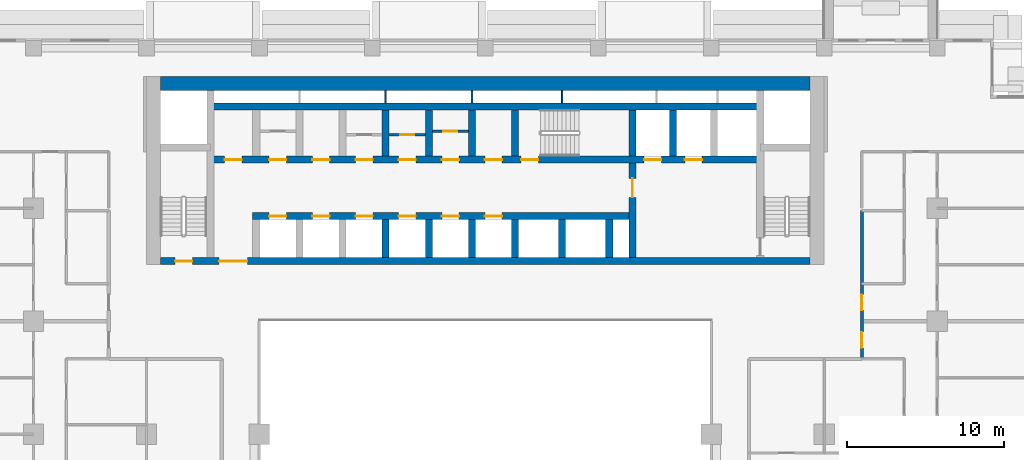
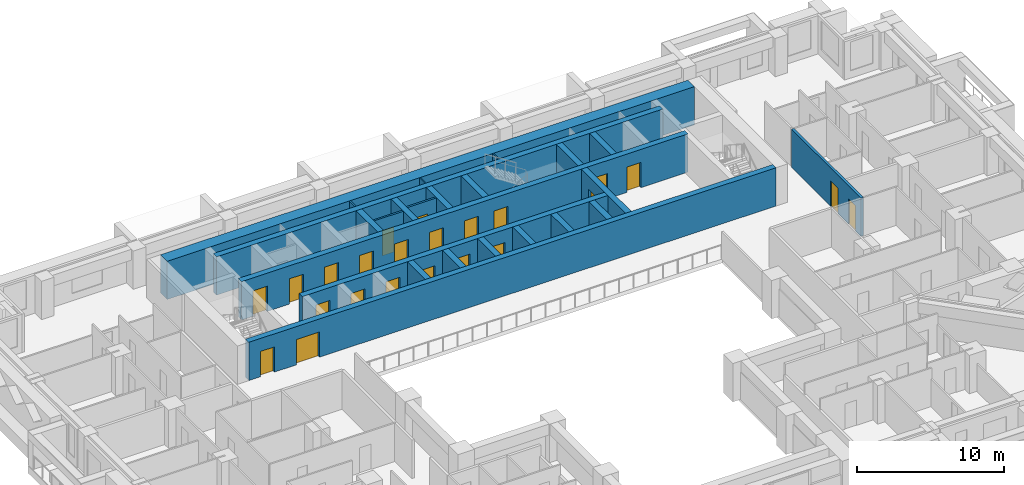
# One storey, part 10 of 17: 24 walls, 23 doors, 23 openings.
"""IFC4 building model written with IfcOpenShell, lengths in metres."""

import ifcopenshell
import ifcopenshell.guid

model = None  # the IFC model being written
_history = None  # IfcOwnerHistory: only IFC2X3 demands one
_inside = {}  # id of a spatial element -> (the spatial element, [elements in it])
_under = {}  # id of a project, library or spatial element -> (it, [spatial elements below it])
_declared = {}  # id of a project -> (the project, [libraries it declares])
_typed = {}  # id of a type object -> (the type object, [elements of that type])
_made_of = {}  # id of a material, layer set ... -> (it, [elements and type objects made of it])


def new_model(schema):
    """Start an empty IFC model of exactly this schema.

    Asked for "IFC4X3", IfcOpenShell would pick the latest addendum, in which some entities
    have other attributes; the version numbers below select the first issue.
    IFC2X3 requires an IfcOwnerHistory on every rooted entity: one is made here for all.
    """
    global model, _history
    if schema == "IFC4X3":
        model = ifcopenshell.file(schema_version=(4, 3, 0, 0))
    else:
        model = ifcopenshell.file(schema=schema)
    _inside.clear()
    _under.clear()
    _declared.clear()
    _typed.clear()
    _made_of.clear()
    _history = None
    if model.schema == "IFC2X3":
        org = make("IfcOrganization", Name="unknown")
        user = make(
            "IfcPersonAndOrganization",
            ThePerson=make("IfcPerson", FamilyName="unknown"),
            TheOrganization=org,
        )
        app = make(
            "IfcApplication",
            ApplicationDeveloper=org,
            Version="unknown",
            ApplicationFullName="unknown",
            ApplicationIdentifier="unknown",
        )
        _history = make(
            "IfcOwnerHistory",
            OwningUser=user,
            OwningApplication=app,
            ChangeAction="ADDED",
            CreationDate=0,
        )
    return model


def make(cls, **values):
    """One entity of the class cls with the attributes given. An attribute that is None is left unset."""
    return model.create_entity(
        cls, **{name: value for name, value in values.items() if value is not None}
    )


def rooted(cls, **values):
    """An entity with a GlobalId (a new one), such as an element, a storey or a relation."""
    return make(cls, GlobalId=ifcopenshell.guid.new(), OwnerHistory=_history, **values)


def si_unit(unit_type, name, prefix=None):
    """IfcSIUnit, for example si_unit("LENGTHUNIT", "METRE", prefix="MILLI")."""
    return make("IfcSIUnit", UnitType=unit_type, Prefix=prefix, Name=name)


def assignment(units):
    """IfcUnitAssignment: the units of a project."""
    return None if units is None else make("IfcUnitAssignment", Units=units)


def point(xyz):
    """IfcCartesianPoint."""
    return None if xyz is None else make("IfcCartesianPoint", Coordinates=xyz)


def direction(xyz):
    """IfcDirection."""
    return None if xyz is None else make("IfcDirection", DirectionRatios=xyz)


def frame(location, z_axis=None, x_axis=None):
    """IfcAxis2Placement3D, a coordinate frame: its origin and axes. An axis left out is left unset."""
    return make(
        "IfcAxis2Placement3D",
        Location=point(location),
        Axis=direction(z_axis),
        RefDirection=direction(x_axis),
    )


def frame_2d(location, x_axis=None):
    """IfcAxis2Placement2D, a coordinate frame in the plane: its origin and x axis."""
    return make(
        "IfcAxis2Placement2D", Location=point(location), RefDirection=direction(x_axis)
    )


def origin():
    """The frame at (0, 0, 0) with its axes left unset."""
    return frame((0.0, 0.0, 0.0))


def place(relative_to, where):
    """IfcLocalPlacement: puts the frame where relative to a parent placement (None: the world)."""
    return make(
        "IfcLocalPlacement", PlacementRelTo=relative_to, RelativePlacement=where
    )


def context(
    kind, dimensions, precision=None, world=None, true_north=None, identifier=None
):
    """IfcGeometricRepresentationContext, for example the 3D "Model" context."""
    return make(
        "IfcGeometricRepresentationContext",
        ContextIdentifier=identifier,
        ContextType=kind,
        CoordinateSpaceDimension=dimensions,
        Precision=precision,
        WorldCoordinateSystem=world,
        TrueNorth=true_north,
    )


def subcontext(parent, identifier, kind, view, scale=None):
    """IfcGeometricRepresentationSubContext, for example "Body" below "Model"."""
    return make(
        "IfcGeometricRepresentationSubContext",
        ContextIdentifier=identifier,
        ContextType=kind,
        ParentContext=parent,
        TargetScale=scale,
        TargetView=view,
    )


def project(units=None, contexts=None):
    """IfcProject with its units and contexts."""
    return rooted(
        "IfcProject",
        Name="project",
        RepresentationContexts=contexts,
        UnitsInContext=assignment(units),
    )


def spatial(cls, under=None, at=None, **own):
    """A site, building, storey or space (cls), placed at a placement, below another one or the project."""
    s = rooted(cls, ObjectPlacement=at, **own)
    if under is not None:
        _under.setdefault(under.id(), (under, []))[1].append(s)
    return s


def profile(cls, at=None, kind="AREA", **sizes):
    """A parametric profile (cls). Its sizes go by their IFC names, for example OverallWidth=200.0."""
    return make(cls, ProfileType=kind, Position=at, **sizes)


def rectangle(**sizes):
    """IfcRectangleProfileDef."""
    return profile("IfcRectangleProfileDef", **sizes)


def extrude(swept, where, along, depth):
    """IfcExtrudedAreaSolid: the profile swept, set in the frame where, extruded along a direction by depth."""
    return make(
        "IfcExtrudedAreaSolid",
        SweptArea=swept,
        Position=where,
        ExtrudedDirection=direction(along),
        Depth=depth,
    )


def shape(context_of_items, identifier, shape_type, items):
    """IfcShapeRepresentation: the items that make up one representation, for example the "Body"."""
    return make(
        "IfcShapeRepresentation",
        ContextOfItems=context_of_items,
        RepresentationIdentifier=identifier,
        RepresentationType=shape_type,
        Items=items,
    )


def material(Name=None, Category=None):
    """IfcMaterial."""
    return make("IfcMaterial", Name=Name, Category=Category)


def layer(
    of_material, thickness, ventilated=None, Name=None, Category=None, Priority=None
):
    """IfcMaterialLayer: one layer of a wall or slab, of a material (None: an air gap)."""
    return make(
        "IfcMaterialLayer",
        Material=of_material,
        LayerThickness=thickness,
        IsVentilated=ventilated,
        Name=Name,
        Category=Category,
        Priority=Priority,
    )


def layer_set(layers, Name=None):
    """IfcMaterialLayerSet."""
    return make("IfcMaterialLayerSet", MaterialLayers=layers, LayerSetName=Name)


def made_of(thing, what):
    """Note that an element or type object is made of a material, layer set ...; save() writes the relation."""
    if what is not None:
        _made_of.setdefault(what.id(), (what, []))[1].append(thing)
    return thing


def type_object(cls, material=None, **own):
    """A type object (cls), such as IfcWallType, which elements share."""
    return made_of(rooted(cls, **own), material)


def element(
    cls,
    number,
    at=None,
    inside=None,
    cuts=None,
    type_object=None,
    material=None,
    context=None,
    identifier="Body",
    shape_type=None,
    held_by="IfcProductDefinitionShape",
    body=None,
    shapes=None,
    **own,
):
    """One element of the class cls, such as IfcWall. Its Tag is "e" and its number.

    at: its placement. inside: the storey or other place that contains it. cuts: it is an
    opening in that element (IfcRelVoidsElement). A single representation is given by context,
    identifier, shape_type and body (its items); several are given by shapes. held_by: the class
    of the entity that holds the representations. save() writes the other relations.
    """
    e = rooted(cls, Tag="e%d" % number, ObjectPlacement=at, **own)
    if body is not None:
        shapes = [shape(context, identifier, shape_type, body)]
    if shapes is not None:
        e.Representation = make(held_by, Representations=shapes)
    if inside is not None:
        _inside.setdefault(inside.id(), (inside, []))[1].append(e)
    if cuts is not None:
        rooted(
            "IfcRelVoidsElement", RelatingBuildingElement=cuts, RelatedOpeningElement=e
        )
    if type_object is not None:
        _typed.setdefault(type_object.id(), (type_object, []))[1].append(e)
    return made_of(e, material)


def fill(opening, filler):
    """IfcRelFillsElement: the door or window that sits in an opening."""
    return rooted(
        "IfcRelFillsElement",
        RelatingOpeningElement=opening,
        RelatedBuildingElement=filler,
    )


def aggregate(whole, parts):
    """IfcRelAggregates: a whole, such as a stair, and the parts it consists of."""
    return rooted("IfcRelAggregates", RelatingObject=whole, RelatedObjects=parts)


def save(model, path):
    """Write the relations noted so far, then the file.

    IfcRelAggregates (storeys below a building ...), IfcRelContainedInSpatialStructure (elements
    in a storey), IfcRelDefinesByType, IfcRelAssociatesMaterial and IfcRelDeclares: one each for
    every whole, place, type object, material and project.
    """
    for whole, parts in _under.values():
        aggregate(whole, parts)
    for where, things in _inside.values():
        rooted(
            "IfcRelContainedInSpatialStructure",
            RelatedElements=things,
            RelatingStructure=where,
        )
    for kind, things in _typed.values():
        rooted("IfcRelDefinesByType", RelatedObjects=things, RelatingType=kind)
    for what, things in _made_of.values():
        rooted("IfcRelAssociatesMaterial", RelatedObjects=things, RelatingMaterial=what)
    for by, libraries in _declared.values():
        rooted("IfcRelDeclares", RelatingContext=by, RelatedDefinitions=libraries)
    model.write(path)


model = new_model("IFC4")

# Units and contexts
model_context = context("Model", 3, precision=1e-05, world=origin(), true_north=direction((0.0, 1.0)))
body_context = subcontext(model_context, "Body", "Model", "MODEL_VIEW")
ifc_project = project(units=[si_unit("LENGTHUNIT", "METRE"), si_unit("AREAUNIT", "SQUARE_METRE"), si_unit("VOLUMEUNIT", "CUBIC_METRE"), si_unit("PLANEANGLEUNIT", "RADIAN"), si_unit("MASSUNIT", "GRAM", prefix="KILO")], contexts=[model_context])

# Site, building, storey
site_placement = place(None, origin())
site = spatial("IfcSite", under=ifc_project, at=site_placement, CompositionType="ELEMENT")
building_placement = place(site_placement, origin())
building = spatial("IfcBuilding", under=site, at=building_placement, Name="Saffron Iwan Residences", CompositionType="ELEMENT")
storey_placement = place(building_placement, frame((0.0, 0.0, 72.5)))
storey = spatial("IfcBuildingStorey", under=building, at=storey_placement, Name="L18", CompositionType="ELEMENT", Elevation=72.5)

# Wall, opening, door
ifc_material_1 = material(Name="Fire-rated plasterboard partition")
ifc_layer_1 = layer(ifc_material_1, 0.14990234375)
ifc_layer_set_1 = layer_set([ifc_layer_1], Name="Fire-rated plasterboard partition")
wall_type_1 = type_object("IfcWallType", Name="Core partition 150", PredefinedType="PARTITIONING", material=ifc_layer_set_1)
wall_1_placement = place(storey_placement, frame((44.27490234375, 74.281982421875, 0.0), z_axis=(0.0, 0.0, 1.0), x_axis=(1.0, 0.0, 0.0)))
wall_1 = element("IfcWall", 1, at=wall_1_placement, inside=storey, type_object=wall_type_1, Name="Core partition P03", PredefinedType="PARTITIONING", context=body_context, shape_type="SweptSolid", body=[
    extrude(rectangle(XDim=2.300048828125, YDim=0.14990234375, at=frame_2d((1.14990234375, 0.0))), origin(), (0.0, 0.0, 1.0), 3.179931640625),
])
opening_1_placement = place(wall_1_placement, frame((0.699951171875, 0.0, 0.0)))
opening_1 = element("IfcOpeningElement", 2, at=opening_1_placement, cuts=wall_1, Name="Opening SB", PredefinedType="OPENING", context=body_context, shape_type="SweptSolid", body=[
    extrude(rectangle(XDim=0.89990234375, YDim=2.10009765625, at=frame_2d((0.449951171875, 1.050048828125))), frame((0.0, 0.0849609375, 0.0), z_axis=(0.0, -1.0, 0.0), x_axis=(1.0, 0.0, 0.0)), (0.0, 0.0, 1.0), 0.169921875),
])
ifc_material_2 = material(Name="Steel fire door", Category="steel")
door_type_1 = type_object("IfcDoorType", Name="Store door 900", OperationType="NOTDEFINED", PredefinedType="DOOR", material=ifc_material_2)
door_1_placement = place(opening_1_placement, origin())
door_1 = element("IfcDoor", 3, at=door_1_placement, inside=storey, type_object=door_type_1, Name="Door Battery room", OperationType="SINGLE_SWING_RIGHT", OverallHeight=2.10009765625, OverallWidth=0.89990234375, PredefinedType="DOOR", context=body_context, shape_type="SweptSolid", body=[
    extrude(rectangle(XDim=0.89990234375, YDim=2.10009765625, at=frame_2d((0.449951171875, 1.050048828125))), frame((0.0, 0.02490234375, 0.0), z_axis=(0.0, -1.0, 0.0), x_axis=(1.0, 0.0, 0.0)), (0.0, 0.0, 1.0), 0.050048828125),
])
fill(opening_1, door_1)

wall_2_placement = place(storey_placement, frame((47.02490234375, 74.51806640625, 0.0), z_axis=(0.0, 0.0, 1.0), x_axis=(1.0, 0.0, 0.0)))
wall_2 = element("IfcWall", 4, at=wall_2_placement, inside=storey, type_object=wall_type_1, Name="Core partition P04", PredefinedType="PARTITIONING", context=body_context, shape_type="SweptSolid", body=[
    extrude(rectangle(XDim=2.300048828125, YDim=0.14990234375, at=frame_2d((1.14990234375, 0.0))), origin(), (0.0, 0.0, 1.0), 3.179931640625),
])
opening_2_placement = place(wall_2_placement, frame((0.699951171875, 0.0, 0.0)))
opening_2 = element("IfcOpeningElement", 5, at=opening_2_placement, cuts=wall_2, Name="Opening SB", PredefinedType="OPENING", context=body_context, shape_type="SweptSolid", body=[
    extrude(rectangle(XDim=0.89990234375, YDim=2.10009765625, at=frame_2d((0.449951171875, 1.050048828125))), frame((0.0, 0.0849609375, 0.0), z_axis=(0.0, -1.0, 0.0), x_axis=(1.0, 0.0, 0.0)), (0.0, 0.0, 1.0), 0.169921875),
])
door_2_placement = place(opening_2_placement, origin())
door_2 = element("IfcDoor", 6, at=door_2_placement, inside=storey, type_object=door_type_1, Name="Door Records store", OperationType="SINGLE_SWING_RIGHT", OverallHeight=2.10009765625, OverallWidth=0.89990234375, PredefinedType="DOOR", context=body_context, shape_type="SweptSolid", body=[
    extrude(rectangle(XDim=0.89990234375, YDim=2.10009765625, at=frame_2d((0.449951171875, 1.050048828125))), frame((0.0, 0.02490234375, 0.0), z_axis=(0.0, -1.0, 0.0), x_axis=(1.0, 0.0, 0.0)), (0.0, 0.0, 1.0), 0.050048828125),
])
fill(opening_2, door_2)

# Wall, openings, doors
ifc_material_3 = material(Name="Fire-rated gypsum board wall")
ifc_layer_2 = layer(ifc_material_3, 0.199951171875)
ifc_layer_set_2 = layer_set([ifc_layer_2], Name="Fire-rated gypsum board wall")
wall_type_2 = type_object("IfcWallType", Name="Gallery wall 200", PredefinedType="SOLIDWALL", material=ifc_layer_set_2)
wall_3_placement = place(storey_placement, frame((74.39990234375, 60.0, 0.0), z_axis=(0.0, 0.0, 1.0), x_axis=(0.0, 1.0, 0.0)))
wall_3 = element("IfcWall", 7, at=wall_3_placement, inside=storey, type_object=wall_type_2, Name="W-L18-CORR-v74.4-60", PredefinedType="SOLIDWALL", context=body_context, shape_type="SweptSolid", body=[
    extrude(rectangle(XDim=9.449951171875, YDim=0.199951171875, at=frame_2d((4.72509765625, 0.0))), origin(), (0.0, 0.0, 1.0), 3.179931640625),
])
opening_3_placement = place(wall_3_placement, frame((0.699951171875, 0.0, 0.0)))
opening_3 = element("IfcOpeningElement", 8, at=opening_3_placement, cuts=wall_3, Name="Opening FD1", PredefinedType="OPENING", context=body_context, shape_type="SweptSolid", body=[
    extrude(rectangle(XDim=1.0, YDim=2.10009765625, at=frame_2d((0.5, 1.050048828125))), frame((0.0, 0.10986328125, 0.0), z_axis=(0.0, -1.0, 0.0), x_axis=(1.0, 0.0, 0.0)), (0.0, 0.0, 1.0), 0.219970703125),
])
opening_4_placement = place(wall_3_placement, frame((3.10009765625, 0.0, 0.0)))
opening_4 = element("IfcOpeningElement", 9, at=opening_4_placement, cuts=wall_3, Name="Opening FD1", PredefinedType="OPENING", context=body_context, shape_type="SweptSolid", body=[
    extrude(rectangle(XDim=1.0, YDim=2.10009765625, at=frame_2d((0.5, 1.050048828125))), frame((0.0, 0.10986328125, 0.0), z_axis=(0.0, -1.0, 0.0), x_axis=(1.0, 0.0, 0.0)), (0.0, 0.0, 1.0), 0.219970703125),
])
ifc_material_4 = material(Name="Fire-rated timber door", Category="wood")
door_type_2 = type_object("IfcDoorType", Name="FD30S flat entrance door 1000", OperationType="NOTDEFINED", PredefinedType="DOOR", material=ifc_material_4)
door_3_placement = place(opening_3_placement, origin())
door_3 = element("IfcDoor", 10, at=door_3_placement, inside=storey, type_object=door_type_2, Name="Door L18-021", OperationType="SINGLE_SWING_LEFT", OverallHeight=2.10009765625, OverallWidth=1.0, PredefinedType="DOOR", context=body_context, shape_type="SweptSolid", body=[
    extrude(rectangle(XDim=1.0, YDim=2.10009765625, at=frame_2d((0.5, 1.050048828125))), frame((0.0, 0.02490234375, 0.0), z_axis=(0.0, -1.0, 0.0), x_axis=(1.0, 0.0, 0.0)), (0.0, 0.0, 1.0), 0.050048828125),
])
fill(opening_3, door_3)
door_4_placement = place(opening_4_placement, origin())
door_4 = element("IfcDoor", 11, at=door_4_placement, inside=storey, type_object=door_type_2, Name="Door L18-036", OperationType="SINGLE_SWING_LEFT", OverallHeight=2.10009765625, OverallWidth=1.0, PredefinedType="DOOR", context=body_context, shape_type="SweptSolid", body=[
    extrude(rectangle(XDim=1.0, YDim=2.10009765625, at=frame_2d((0.5, 1.050048828125))), frame((0.0, 0.02490234375, 0.0), z_axis=(0.0, -1.0, 0.0), x_axis=(1.0, 0.0, 0.0)), (0.0, 0.0, 1.0), 0.050048828125),
])
fill(opening_4, door_4)

# Walls
ifc_layer_3 = layer(ifc_material_1, 0.10009765625)
ifc_layer_set_3 = layer_set([ifc_layer_3], Name="Fire-rated plasterboard partition")
wall_type_3 = type_object("IfcWallType", Name="Riser partition 100", PredefinedType="PARTITIONING", material=ifc_layer_set_3)
for number, where, z_axis, x_axis, name in (
    (12, (44.050048828125, 76.324951171875, 0.0), (0.0, 0.0, 1.0), (0.0, 1.0, 0.0), "Core partition P06"),
    (13, (49.550048828125, 76.324951171875, 0.0), (0.0, 0.0, 1.0), (0.0, 1.0, 0.0), "Core partition P07"),
    (14, (55.300048828125, 76.324951171875, 0.0), (0.0, 0.0, 1.0), (0.0, 1.0, 0.0), "Core partition P08"),
):
    element("IfcWall", number, at=place(storey_placement, frame(where, z_axis=z_axis, x_axis=x_axis)), inside=storey, type_object=wall_type_3, Name=name, PredefinedType="PARTITIONING", context=body_context, shape_type="SweptSolid", body=[
        extrude(rectangle(XDim=0.775146484375, YDim=0.10009765625, at=frame_2d((0.3876953125, 0.0))), origin(), (0.0, 0.0, 1.0), 3.179931640625),
    ])

# Wall, openings, doors
ifc_material_5 = material(Name="Concrete C60/75", Category="concrete")
ifc_layer_4 = layer(ifc_material_5, 0.449951171875)
ifc_layer_set_4 = layer_set([ifc_layer_4], Name="Concrete C60/75")
wall_type_4 = type_object("IfcWallType", Name="WALL CORE 450 C60/75 3180 HIGH", PredefinedType="SHEAR", material=ifc_layer_set_4)
wall_4_placement = place(storey_placement, frame((29.699951171875, 66.22509765625, 0.0), z_axis=(0.0, 0.0, 1.0), x_axis=(1.0, 0.0, 0.0)))
wall_4 = element("IfcWall", 15, at=wall_4_placement, inside=storey, type_object=wall_type_4, Name="Core wall", PredefinedType="SHEAR", context=body_context, shape_type="SweptSolid", body=[
    extrude(rectangle(XDim=41.400146484375, YDim=0.449951171875, at=frame_2d((20.7001953125, 0.0))), origin(), (0.0, 0.0, 1.0), 3.179931640625),
])
opening_5_placement = place(wall_4_placement, frame((0.925048828125, 0.0, 0.0)))
opening_5 = element("IfcOpeningElement", 16, at=opening_5_placement, cuts=wall_4, Name="Opening SD", PredefinedType="OPENING", context=body_context, shape_type="SweptSolid", body=[
    extrude(rectangle(XDim=1.10009765625, YDim=2.10009765625, at=frame_2d((0.550048828125, 1.050048828125))), frame((0.0, 0.23486328125, 0.0), z_axis=(0.0, -1.0, 0.0), x_axis=(1.0, 0.0, 0.0)), (0.0, 0.0, 1.0), 0.469970703125),
])
opening_6_placement = place(wall_4_placement, frame((3.737548828125, 0.0, 0.0)))
opening_6 = element("IfcOpeningElement", 17, at=opening_6_placement, cuts=wall_4, Name="Opening DD", PredefinedType="OPENING", context=body_context, shape_type="SweptSolid", body=[
    extrude(rectangle(XDim=1.800048828125, YDim=2.10009765625, at=frame_2d((0.89990234375, 1.050048828125))), frame((0.0, 0.23486328125, 0.0), z_axis=(0.0, -1.0, 0.0), x_axis=(1.0, 0.0, 0.0)), (0.0, 0.0, 1.0), 0.469970703125),
])
door_type_3 = type_object("IfcDoorType", Name="Lobby double door 1800", OperationType="DOUBLE_DOOR_SINGLE_SWING", PredefinedType="DOOR", material=ifc_material_2)
door_5_placement = place(opening_6_placement, origin())
door_5 = element("IfcDoor", 18, at=door_5_placement, inside=storey, type_object=door_type_3, Name="Lobby doors", OperationType="DOUBLE_DOOR_SINGLE_SWING", OverallHeight=2.10009765625, OverallWidth=1.800048828125, PredefinedType="DOOR", context=body_context, shape_type="SweptSolid", body=[
    extrude(rectangle(XDim=1.800048828125, YDim=2.10009765625, at=frame_2d((0.89990234375, 1.050048828125))), frame((0.0, 0.02490234375, 0.0), z_axis=(0.0, -1.0, 0.0), x_axis=(1.0, 0.0, 0.0)), (0.0, 0.0, 1.0), 0.050048828125),
])
fill(opening_6, door_5)
door_type_4 = type_object("IfcDoorType", Name="Stair door 1100", OperationType="NOTDEFINED", PredefinedType="DOOR", material=ifc_material_2)
door_6_placement = place(opening_5_placement, origin())
door_6 = element("IfcDoor", 19, at=door_6_placement, inside=storey, type_object=door_type_4, Name="Stair door ST-W", OperationType="SINGLE_SWING_LEFT", OverallHeight=2.10009765625, OverallWidth=1.10009765625, PredefinedType="DOOR", context=body_context, shape_type="SweptSolid", body=[
    extrude(rectangle(XDim=1.10009765625, YDim=2.10009765625, at=frame_2d((0.550048828125, 1.050048828125))), frame((0.0, 0.02490234375, 0.0), z_axis=(0.0, -1.0, 0.0), x_axis=(1.0, 0.0, 0.0)), (0.0, 0.0, 1.0), 0.050048828125),
])
fill(opening_5, door_6)

wall_5_placement = place(storey_placement, frame((35.574951171875, 69.10009765625, 0.0), z_axis=(0.0, 0.0, 1.0), x_axis=(1.0, 0.0, 0.0)))
wall_5 = element("IfcWall", 20, at=wall_5_placement, inside=storey, type_object=wall_type_4, Name="Core wall", PredefinedType="SHEAR", context=body_context, shape_type="SweptSolid", body=[
    extrude(rectangle(XDim=24.199951171875, YDim=0.449951171875, at=frame_2d((12.10009765625, 0.0))), origin(), (0.0, 0.0, 1.0), 3.179931640625),
])
opening_7_placement = place(wall_5_placement, frame((1.050048828125, 0.0, 0.0)))
opening_7 = element("IfcOpeningElement", 21, at=opening_7_placement, cuts=wall_5, Name="Opening LD", PredefinedType="OPENING", context=body_context, shape_type="SweptSolid", body=[
    extrude(rectangle(XDim=1.10009765625, YDim=2.10009765625, at=frame_2d((0.550048828125, 1.050048828125))), frame((0.0, 0.23486328125, 0.0), z_axis=(0.0, -1.0, 0.0), x_axis=(1.0, 0.0, 0.0)), (0.0, 0.0, 1.0), 0.469970703125),
])
opening_8_placement = place(wall_5_placement, frame((3.800048828125, 0.0, 0.0)))
opening_8 = element("IfcOpeningElement", 22, at=opening_8_placement, cuts=wall_5, Name="Opening LD", PredefinedType="OPENING", context=body_context, shape_type="SweptSolid", body=[
    extrude(rectangle(XDim=1.10009765625, YDim=2.10009765625, at=frame_2d((0.550048828125, 1.050048828125))), frame((0.0, 0.23486328125, 0.0), z_axis=(0.0, -1.0, 0.0), x_axis=(1.0, 0.0, 0.0)), (0.0, 0.0, 1.0), 0.469970703125),
])
opening_9_placement = place(wall_5_placement, frame((6.550048828125, 0.0, 0.0)))
opening_9 = element("IfcOpeningElement", 23, at=opening_9_placement, cuts=wall_5, Name="Opening LD", PredefinedType="OPENING", context=body_context, shape_type="SweptSolid", body=[
    extrude(rectangle(XDim=1.10009765625, YDim=2.10009765625, at=frame_2d((0.550048828125, 1.050048828125))), frame((0.0, 0.23486328125, 0.0), z_axis=(0.0, -1.0, 0.0), x_axis=(1.0, 0.0, 0.0)), (0.0, 0.0, 1.0), 0.469970703125),
])
opening_10_placement = place(wall_5_placement, frame((9.300048828125, 0.0, 0.0)))
opening_10 = element("IfcOpeningElement", 24, at=opening_10_placement, cuts=wall_5, Name="Opening LD", PredefinedType="OPENING", context=body_context, shape_type="SweptSolid", body=[
    extrude(rectangle(XDim=1.10009765625, YDim=2.10009765625, at=frame_2d((0.550048828125, 1.050048828125))), frame((0.0, 0.23486328125, 0.0), z_axis=(0.0, -1.0, 0.0), x_axis=(1.0, 0.0, 0.0)), (0.0, 0.0, 1.0), 0.469970703125),
])
opening_11_placement = place(wall_5_placement, frame((12.050048828125, 0.0, 0.0)))
opening_11 = element("IfcOpeningElement", 25, at=opening_11_placement, cuts=wall_5, Name="Opening LD", PredefinedType="OPENING", context=body_context, shape_type="SweptSolid", body=[
    extrude(rectangle(XDim=1.10009765625, YDim=2.10009765625, at=frame_2d((0.550048828125, 1.050048828125))), frame((0.0, 0.23486328125, 0.0), z_axis=(0.0, -1.0, 0.0), x_axis=(1.0, 0.0, 0.0)), (0.0, 0.0, 1.0), 0.469970703125),
])
opening_12_placement = place(wall_5_placement, frame((14.800048828125, 0.0, 0.0)))
opening_12 = element("IfcOpeningElement", 26, at=opening_12_placement, cuts=wall_5, Name="Opening LD", PredefinedType="OPENING", context=body_context, shape_type="SweptSolid", body=[
    extrude(rectangle(XDim=1.10009765625, YDim=2.10009765625, at=frame_2d((0.550048828125, 1.050048828125))), frame((0.0, 0.23486328125, 0.0), z_axis=(0.0, -1.0, 0.0), x_axis=(1.0, 0.0, 0.0)), (0.0, 0.0, 1.0), 0.469970703125),
])
door_type_5 = type_object("IfcDoorType", Name="Lift landing door 1100", OperationType="SLIDING_TO_LEFT", PredefinedType="DOOR", material=ifc_material_2)
door_7_placement = place(opening_7_placement, origin())
door_7 = element("IfcDoor", 27, at=door_7_placement, inside=storey, type_object=door_type_5, Name="Landing doors LR1", OperationType="SLIDING_TO_LEFT", OverallHeight=2.10009765625, OverallWidth=1.10009765625, PredefinedType="DOOR", context=body_context, shape_type="SweptSolid", body=[
    extrude(rectangle(XDim=1.10009765625, YDim=2.10009765625, at=frame_2d((0.550048828125, 1.050048828125))), frame((0.0, 0.02490234375, 0.0), z_axis=(0.0, -1.0, 0.0), x_axis=(1.0, 0.0, 0.0)), (0.0, 0.0, 1.0), 0.050048828125),
])
fill(opening_7, door_7)
door_8_placement = place(opening_8_placement, origin())
door_8 = element("IfcDoor", 28, at=door_8_placement, inside=storey, type_object=door_type_5, Name="Landing doors LR2", OperationType="SLIDING_TO_LEFT", OverallHeight=2.10009765625, OverallWidth=1.10009765625, PredefinedType="DOOR", context=body_context, shape_type="SweptSolid", body=[
    extrude(rectangle(XDim=1.10009765625, YDim=2.10009765625, at=frame_2d((0.550048828125, 1.050048828125))), frame((0.0, 0.02490234375, 0.0), z_axis=(0.0, -1.0, 0.0), x_axis=(1.0, 0.0, 0.0)), (0.0, 0.0, 1.0), 0.050048828125),
])
fill(opening_8, door_8)
door_9_placement = place(opening_9_placement, origin())
door_9 = element("IfcDoor", 29, at=door_9_placement, inside=storey, type_object=door_type_5, Name="Landing doors LR3", OperationType="SLIDING_TO_LEFT", OverallHeight=2.10009765625, OverallWidth=1.10009765625, PredefinedType="DOOR", context=body_context, shape_type="SweptSolid", body=[
    extrude(rectangle(XDim=1.10009765625, YDim=2.10009765625, at=frame_2d((0.550048828125, 1.050048828125))), frame((0.0, 0.02490234375, 0.0), z_axis=(0.0, -1.0, 0.0), x_axis=(1.0, 0.0, 0.0)), (0.0, 0.0, 1.0), 0.050048828125),
])
fill(opening_9, door_9)
door_10_placement = place(opening_10_placement, origin())
door_10 = element("IfcDoor", 30, at=door_10_placement, inside=storey, type_object=door_type_5, Name="Landing doors LR4", OperationType="SLIDING_TO_LEFT", OverallHeight=2.10009765625, OverallWidth=1.10009765625, PredefinedType="DOOR", context=body_context, shape_type="SweptSolid", body=[
    extrude(rectangle(XDim=1.10009765625, YDim=2.10009765625, at=frame_2d((0.550048828125, 1.050048828125))), frame((0.0, 0.02490234375, 0.0), z_axis=(0.0, -1.0, 0.0), x_axis=(1.0, 0.0, 0.0)), (0.0, 0.0, 1.0), 0.050048828125),
])
fill(opening_10, door_10)
door_11_placement = place(opening_11_placement, origin())
door_11 = element("IfcDoor", 31, at=door_11_placement, inside=storey, type_object=door_type_5, Name="Landing doors LR5", OperationType="SLIDING_TO_LEFT", OverallHeight=2.10009765625, OverallWidth=1.10009765625, PredefinedType="DOOR", context=body_context, shape_type="SweptSolid", body=[
    extrude(rectangle(XDim=1.10009765625, YDim=2.10009765625, at=frame_2d((0.550048828125, 1.050048828125))), frame((0.0, 0.02490234375, 0.0), z_axis=(0.0, -1.0, 0.0), x_axis=(1.0, 0.0, 0.0)), (0.0, 0.0, 1.0), 0.050048828125),
])
fill(opening_11, door_11)
door_12_placement = place(opening_12_placement, origin())
door_12 = element("IfcDoor", 32, at=door_12_placement, inside=storey, type_object=door_type_5, Name="Landing doors LR6", OperationType="SLIDING_TO_LEFT", OverallHeight=2.10009765625, OverallWidth=1.10009765625, PredefinedType="DOOR", context=body_context, shape_type="SweptSolid", body=[
    extrude(rectangle(XDim=1.10009765625, YDim=2.10009765625, at=frame_2d((0.550048828125, 1.050048828125))), frame((0.0, 0.02490234375, 0.0), z_axis=(0.0, -1.0, 0.0), x_axis=(1.0, 0.0, 0.0)), (0.0, 0.0, 1.0), 0.050048828125),
])
fill(opening_12, door_12)

wall_6_placement = place(storey_placement, frame((32.875, 72.699951171875, 0.0), z_axis=(0.0, 0.0, 1.0), x_axis=(1.0, 0.0, 0.0)))
wall_6 = element("IfcWall", 33, at=wall_6_placement, inside=storey, type_object=wall_type_4, Name="Core wall", PredefinedType="SHEAR", context=body_context, shape_type="SweptSolid", body=[
    extrude(rectangle(XDim=35.050048828125, YDim=0.449951171875, at=frame_2d((17.52490234375, 0.0))), origin(), (0.0, 0.0, 1.0), 3.179931640625),
])
opening_13_placement = place(wall_6_placement, frame((19.800048828125, 0.0, 0.0)))
opening_13 = element("IfcOpeningElement", 34, at=opening_13_placement, cuts=wall_6, Name="Opening SD", PredefinedType="OPENING", context=body_context, shape_type="SweptSolid", body=[
    extrude(rectangle(XDim=1.10009765625, YDim=2.10009765625, at=frame_2d((0.550048828125, 1.050048828125))), frame((0.0, 0.23486328125, 0.0), z_axis=(0.0, -1.0, 0.0), x_axis=(1.0, 0.0, 0.0)), (0.0, 0.0, 1.0), 0.469970703125),
])
opening_14_placement = place(wall_6_placement, frame((27.64990234375, 0.0, 0.0)))
opening_14 = element("IfcOpeningElement", 35, at=opening_14_placement, cuts=wall_6, Name="Opening LD", PredefinedType="OPENING", context=body_context, shape_type="SweptSolid", body=[
    extrude(rectangle(XDim=1.10009765625, YDim=2.10009765625, at=frame_2d((0.550048828125, 1.050048828125))), frame((0.0, 0.23486328125, 0.0), z_axis=(0.0, -1.0, 0.0), x_axis=(1.0, 0.0, 0.0)), (0.0, 0.0, 1.0), 0.469970703125),
])
opening_15_placement = place(wall_6_placement, frame((30.25, 0.0, 0.0)))
opening_15 = element("IfcOpeningElement", 36, at=opening_15_placement, cuts=wall_6, Name="Opening LD", PredefinedType="OPENING", context=body_context, shape_type="SweptSolid", body=[
    extrude(rectangle(XDim=1.10009765625, YDim=2.10009765625, at=frame_2d((0.550048828125, 1.050048828125))), frame((0.0, 0.23486328125, 0.0), z_axis=(0.0, -1.0, 0.0), x_axis=(1.0, 0.0, 0.0)), (0.0, 0.0, 1.0), 0.469970703125),
])
opening_16_placement = place(wall_6_placement, frame((3.75, 0.0, 0.0)))
opening_16 = element("IfcOpeningElement", 37, at=opening_16_placement, cuts=wall_6, Name="Opening SR", PredefinedType="OPENING", context=body_context, shape_type="SweptSolid", body=[
    extrude(rectangle(XDim=1.10009765625, YDim=2.10009765625, at=frame_2d((0.550048828125, 1.050048828125))), frame((0.0, 0.23486328125, 0.0), z_axis=(0.0, -1.0, 0.0), x_axis=(1.0, 0.0, 0.0)), (0.0, 0.0, 1.0), 0.469970703125),
])
opening_17_placement = place(wall_6_placement, frame((6.5, 0.0, 0.0)))
opening_17 = element("IfcOpeningElement", 38, at=opening_17_placement, cuts=wall_6, Name="Opening SR", PredefinedType="OPENING", context=body_context, shape_type="SweptSolid", body=[
    extrude(rectangle(XDim=1.10009765625, YDim=2.10009765625, at=frame_2d((0.550048828125, 1.050048828125))), frame((0.0, 0.23486328125, 0.0), z_axis=(0.0, -1.0, 0.0), x_axis=(1.0, 0.0, 0.0)), (0.0, 0.0, 1.0), 0.469970703125),
])
opening_18_placement = place(wall_6_placement, frame((9.25, 0.0, 0.0)))
opening_18 = element("IfcOpeningElement", 39, at=opening_18_placement, cuts=wall_6, Name="Opening SR", PredefinedType="OPENING", context=body_context, shape_type="SweptSolid", body=[
    extrude(rectangle(XDim=1.10009765625, YDim=2.10009765625, at=frame_2d((0.550048828125, 1.050048828125))), frame((0.0, 0.23486328125, 0.0), z_axis=(0.0, -1.0, 0.0), x_axis=(1.0, 0.0, 0.0)), (0.0, 0.0, 1.0), 0.469970703125),
])
opening_19_placement = place(wall_6_placement, frame((12.0, 0.0, 0.0)))
opening_19 = element("IfcOpeningElement", 40, at=opening_19_placement, cuts=wall_6, Name="Opening SR", PredefinedType="OPENING", context=body_context, shape_type="SweptSolid", body=[
    extrude(rectangle(XDim=1.10009765625, YDim=2.10009765625, at=frame_2d((0.550048828125, 1.050048828125))), frame((0.0, 0.23486328125, 0.0), z_axis=(0.0, -1.0, 0.0), x_axis=(1.0, 0.0, 0.0)), (0.0, 0.0, 1.0), 0.469970703125),
])
opening_20_placement = place(wall_6_placement, frame((14.75, 0.0, 0.0)))
opening_20 = element("IfcOpeningElement", 41, at=opening_20_placement, cuts=wall_6, Name="Opening SR", PredefinedType="OPENING", context=body_context, shape_type="SweptSolid", body=[
    extrude(rectangle(XDim=1.10009765625, YDim=2.10009765625, at=frame_2d((0.550048828125, 1.050048828125))), frame((0.0, 0.23486328125, 0.0), z_axis=(0.0, -1.0, 0.0), x_axis=(1.0, 0.0, 0.0)), (0.0, 0.0, 1.0), 0.469970703125),
])
opening_21_placement = place(wall_6_placement, frame((17.5, 0.0, 0.0)))
opening_21 = element("IfcOpeningElement", 42, at=opening_21_placement, cuts=wall_6, Name="Opening SR", PredefinedType="OPENING", context=body_context, shape_type="SweptSolid", body=[
    extrude(rectangle(XDim=1.10009765625, YDim=2.10009765625, at=frame_2d((0.550048828125, 1.050048828125))), frame((0.0, 0.23486328125, 0.0), z_axis=(0.0, -1.0, 0.0), x_axis=(1.0, 0.0, 0.0)), (0.0, 0.0, 1.0), 0.469970703125),
])
opening_22_placement = place(wall_6_placement, frame((0.91259765625, 0.0, 0.0)))
opening_22 = element("IfcOpeningElement", 43, at=opening_22_placement, cuts=wall_6, Name="Opening SR", PredefinedType="OPENING", context=body_context, shape_type="SweptSolid", body=[
    extrude(rectangle(XDim=1.10009765625, YDim=2.10009765625, at=frame_2d((0.550048828125, 1.050048828125))), frame((0.0, 0.23486328125, 0.0), z_axis=(0.0, -1.0, 0.0), x_axis=(1.0, 0.0, 0.0)), (0.0, 0.0, 1.0), 0.469970703125),
])
door_13_placement = place(opening_14_placement, origin())
door_13 = element("IfcDoor", 44, at=door_13_placement, inside=storey, type_object=door_type_5, Name="Landing doors FF1", OperationType="SLIDING_TO_LEFT", OverallHeight=2.10009765625, OverallWidth=1.10009765625, PredefinedType="DOOR", context=body_context, shape_type="SweptSolid", body=[
    extrude(rectangle(XDim=1.10009765625, YDim=2.10009765625, at=frame_2d((0.550048828125, 1.050048828125))), frame((0.0, 0.02490234375, 0.0), z_axis=(0.0, -1.0, 0.0), x_axis=(1.0, 0.0, 0.0)), (0.0, 0.0, 1.0), 0.050048828125),
])
fill(opening_14, door_13)
door_14_placement = place(opening_15_placement, origin())
door_14 = element("IfcDoor", 45, at=door_14_placement, inside=storey, type_object=door_type_5, Name="Landing doors FF2", OperationType="SLIDING_TO_LEFT", OverallHeight=2.10009765625, OverallWidth=1.10009765625, PredefinedType="DOOR", context=body_context, shape_type="SweptSolid", body=[
    extrude(rectangle(XDim=1.10009765625, YDim=2.10009765625, at=frame_2d((0.550048828125, 1.050048828125))), frame((0.0, 0.02490234375, 0.0), z_axis=(0.0, -1.0, 0.0), x_axis=(1.0, 0.0, 0.0)), (0.0, 0.0, 1.0), 0.050048828125),
])
fill(opening_15, door_14)
door_type_6 = type_object("IfcDoorType", Name="Service door 1100", OperationType="NOTDEFINED", PredefinedType="DOOR", material=ifc_material_2)
door_15_placement = place(opening_16_placement, origin())
door_15 = element("IfcDoor", 46, at=door_15_placement, inside=storey, type_object=door_type_6, Name="Door Linen store", OperationType="SINGLE_SWING_LEFT", OverallHeight=2.10009765625, OverallWidth=1.10009765625, PredefinedType="DOOR", context=body_context, shape_type="SweptSolid", body=[
    extrude(rectangle(XDim=1.10009765625, YDim=2.10009765625, at=frame_2d((0.550048828125, 1.050048828125))), frame((0.0, 0.02490234375, 0.0), z_axis=(0.0, -1.0, 0.0), x_axis=(1.0, 0.0, 0.0)), (0.0, 0.0, 1.0), 0.050048828125),
])
fill(opening_16, door_15)
door_16_placement = place(opening_17_placement, origin())
door_16 = element("IfcDoor", 47, at=door_16_placement, inside=storey, type_object=door_type_6, Name="Door Pantry", OperationType="SINGLE_SWING_LEFT", OverallHeight=2.10009765625, OverallWidth=1.10009765625, PredefinedType="DOOR", context=body_context, shape_type="SweptSolid", body=[
    extrude(rectangle(XDim=1.10009765625, YDim=2.10009765625, at=frame_2d((0.550048828125, 1.050048828125))), frame((0.0, 0.02490234375, 0.0), z_axis=(0.0, -1.0, 0.0), x_axis=(1.0, 0.0, 0.0)), (0.0, 0.0, 1.0), 0.050048828125),
])
fill(opening_17, door_16)
door_17_placement = place(opening_18_placement, origin())
door_17 = element("IfcDoor", 48, at=door_17_placement, inside=storey, type_object=door_type_6, Name="Door Electrical room", OperationType="SINGLE_SWING_LEFT", OverallHeight=2.10009765625, OverallWidth=1.10009765625, PredefinedType="DOOR", context=body_context, shape_type="SweptSolid", body=[
    extrude(rectangle(XDim=1.10009765625, YDim=2.10009765625, at=frame_2d((0.550048828125, 1.050048828125))), frame((0.0, 0.02490234375, 0.0), z_axis=(0.0, -1.0, 0.0), x_axis=(1.0, 0.0, 0.0)), (0.0, 0.0, 1.0), 0.050048828125),
])
fill(opening_18, door_17)
door_18_placement = place(opening_19_placement, origin())
door_18 = element("IfcDoor", 49, at=door_18_placement, inside=storey, type_object=door_type_6, Name="Door Luggage store", OperationType="SINGLE_SWING_LEFT", OverallHeight=2.10009765625, OverallWidth=1.10009765625, PredefinedType="DOOR", context=body_context, shape_type="SweptSolid", body=[
    extrude(rectangle(XDim=1.10009765625, YDim=2.10009765625, at=frame_2d((0.550048828125, 1.050048828125))), frame((0.0, 0.02490234375, 0.0), z_axis=(0.0, -1.0, 0.0), x_axis=(1.0, 0.0, 0.0)), (0.0, 0.0, 1.0), 0.050048828125),
])
fill(opening_19, door_18)
door_19_placement = place(opening_20_placement, origin())
door_19 = element("IfcDoor", 50, at=door_19_placement, inside=storey, type_object=door_type_6, Name="Door Refuse store", OperationType="SINGLE_SWING_LEFT", OverallHeight=2.10009765625, OverallWidth=1.10009765625, PredefinedType="DOOR", context=body_context, shape_type="SweptSolid", body=[
    extrude(rectangle(XDim=1.10009765625, YDim=2.10009765625, at=frame_2d((0.550048828125, 1.050048828125))), frame((0.0, 0.02490234375, 0.0), z_axis=(0.0, -1.0, 0.0), x_axis=(1.0, 0.0, 0.0)), (0.0, 0.0, 1.0), 0.050048828125),
])
fill(opening_20, door_19)
door_20_placement = place(opening_21_placement, origin())
door_20 = element("IfcDoor", 51, at=door_20_placement, inside=storey, type_object=door_type_6, Name="Door Maintenance store", OperationType="SINGLE_SWING_LEFT", OverallHeight=2.10009765625, OverallWidth=1.10009765625, PredefinedType="DOOR", context=body_context, shape_type="SweptSolid", body=[
    extrude(rectangle(XDim=1.10009765625, YDim=2.10009765625, at=frame_2d((0.550048828125, 1.050048828125))), frame((0.0, 0.02490234375, 0.0), z_axis=(0.0, -1.0, 0.0), x_axis=(1.0, 0.0, 0.0)), (0.0, 0.0, 1.0), 0.050048828125),
])
fill(opening_21, door_20)
door_21_placement = place(opening_22_placement, origin())
door_21 = element("IfcDoor", 52, at=door_21_placement, inside=storey, type_object=door_type_6, Name="Door Service room", OperationType="SINGLE_SWING_LEFT", OverallHeight=2.10009765625, OverallWidth=1.10009765625, PredefinedType="DOOR", context=body_context, shape_type="SweptSolid", body=[
    extrude(rectangle(XDim=1.10009765625, YDim=2.10009765625, at=frame_2d((0.550048828125, 1.050048828125))), frame((0.0, 0.02490234375, 0.0), z_axis=(0.0, -1.0, 0.0), x_axis=(1.0, 0.0, 0.0)), (0.0, 0.0, 1.0), 0.050048828125),
])
fill(opening_22, door_21)
door_22_placement = place(opening_13_placement, origin())
door_22 = element("IfcDoor", 53, at=door_22_placement, inside=storey, type_object=door_type_4, Name="Stair door ST-C", OperationType="SINGLE_SWING_LEFT", OverallHeight=2.10009765625, OverallWidth=1.10009765625, PredefinedType="DOOR", context=body_context, shape_type="SweptSolid", body=[
    extrude(rectangle(XDim=1.10009765625, YDim=2.10009765625, at=frame_2d((0.550048828125, 1.050048828125))), frame((0.0, 0.02490234375, 0.0), z_axis=(0.0, -1.0, 0.0), x_axis=(1.0, 0.0, 0.0)), (0.0, 0.0, 1.0), 0.050048828125),
])
fill(opening_13, door_22)

# Wall
wall_7_placement = place(storey_placement, frame((32.875, 76.10009765625, 0.0), z_axis=(0.0, 0.0, 1.0), x_axis=(1.0, 0.0, 0.0)))
element("IfcWall", 54, at=wall_7_placement, inside=storey, type_object=wall_type_4, Name="Core wall", PredefinedType="SHEAR", context=body_context, shape_type="SweptSolid", body=[
    extrude(rectangle(XDim=35.050048828125, YDim=0.449951171875, at=frame_2d((17.52490234375, 0.0))), origin(), (0.0, 0.0, 1.0), 3.179931640625),
])

# Wall, opening, door
wall_8_placement = place(storey_placement, frame((59.77490234375, 66.449951171875, 0.0), z_axis=(0.0, 0.0, 1.0), x_axis=(0.0, 1.0, 0.0)))
wall_8 = element("IfcWall", 55, at=wall_8_placement, inside=storey, type_object=wall_type_4, Name="Core wall", PredefinedType="SHEAR", context=body_context, shape_type="SweptSolid", body=[
    extrude(rectangle(XDim=6.025146484375, YDim=0.449951171875, at=frame_2d((3.0126953125, 0.0))), origin(), (0.0, 0.0, 1.0), 3.179931640625),
])
opening_23_placement = place(wall_8_placement, frame((3.85009765625, 0.0, 0.0)))
opening_23 = element("IfcOpeningElement", 56, at=opening_23_placement, cuts=wall_8, Name="Opening FD", PredefinedType="OPENING", context=body_context, shape_type="SweptSolid", body=[
    extrude(rectangle(XDim=1.199951171875, YDim=2.10009765625, at=frame_2d((0.60009765625, 1.050048828125))), frame((0.0, 0.23486328125, 0.0), z_axis=(0.0, -1.0, 0.0), x_axis=(1.0, 0.0, 0.0)), (0.0, 0.0, 1.0), 0.469970703125),
])
door_type_7 = type_object("IfcDoorType", Name="Firefighting lobby door 1200", OperationType="NOTDEFINED", PredefinedType="DOOR", material=ifc_material_2)
door_23_placement = place(opening_23_placement, origin())
door_23 = element("IfcDoor", 57, at=door_23_placement, inside=storey, type_object=door_type_7, Name="Firefighting lobby door", OperationType="SINGLE_SWING_RIGHT", OverallHeight=2.10009765625, OverallWidth=1.199951171875, PredefinedType="DOOR", context=body_context, shape_type="SweptSolid", body=[
    extrude(rectangle(XDim=1.199951171875, YDim=2.10009765625, at=frame_2d((0.60009765625, 1.050048828125))), frame((0.0, 0.02490234375, 0.0), z_axis=(0.0, -1.0, 0.0), x_axis=(1.0, 0.0, 0.0)), (0.0, 0.0, 1.0), 0.050048828125),
])
fill(opening_23, door_23)

# Walls
wall_9_placement = place(storey_placement, frame((59.77490234375, 72.925048828125, 0.0), z_axis=(0.0, 0.0, 1.0), x_axis=(0.0, 1.0, 0.0)))
element("IfcWall", 58, at=wall_9_placement, inside=storey, type_object=wall_type_4, Name="Core wall", PredefinedType="SHEAR", context=body_context, shape_type="SweptSolid", body=[
    extrude(rectangle(XDim=2.949951171875, YDim=0.449951171875, at=frame_2d((1.47509765625, 0.0))), origin(), (0.0, 0.0, 1.0), 3.179931640625),
])
for number, where, z_axis, x_axis, name in (
    (59, (44.050048828125, 66.449951171875, 0.0), (0.0, 0.0, 1.0), (0.0, 1.0, 0.0), "Core wall"),
    (60, (46.800048828125, 66.449951171875, 0.0), (0.0, 0.0, 1.0), (0.0, 1.0, 0.0), "Core wall"),
    (61, (49.550048828125, 66.449951171875, 0.0), (0.0, 0.0, 1.0), (0.0, 1.0, 0.0), "Core wall"),
    (62, (52.300048828125, 66.449951171875, 0.0), (0.0, 0.0, 1.0), (0.0, 1.0, 0.0), "Core wall"),
    (63, (55.300048828125, 66.449951171875, 0.0), (0.0, 0.0, 1.0), (0.0, 1.0, 0.0), "Core wall"),
    (64, (58.300048828125, 66.449951171875, 0.0), (0.0, 0.0, 1.0), (0.0, 1.0, 0.0), "Core wall"),
):
    element("IfcWall", number, at=place(storey_placement, frame(where, z_axis=z_axis, x_axis=x_axis)), inside=storey, type_object=wall_type_4, Name=name, PredefinedType="SHEAR", context=body_context, shape_type="SweptSolid", body=[
        extrude(rectangle(XDim=2.425048828125, YDim=0.449951171875, at=frame_2d((1.21240234375, 0.0))), origin(), (0.0, 0.0, 1.0), 3.179931640625),
    ])
for number, where, z_axis, x_axis, name in (
    (65, (44.050048828125, 72.925048828125, 0.0), (0.0, 0.0, 1.0), (0.0, 1.0, 0.0), "Core wall"),
    (66, (46.800048828125, 72.925048828125, 0.0), (0.0, 0.0, 1.0), (0.0, 1.0, 0.0), "Core wall"),
    (67, (49.550048828125, 72.925048828125, 0.0), (0.0, 0.0, 1.0), (0.0, 1.0, 0.0), "Core wall"),
    (68, (52.300048828125, 72.925048828125, 0.0), (0.0, 0.0, 1.0), (0.0, 1.0, 0.0), "Core wall"),
    (69, (62.375, 72.925048828125, 0.0), (0.0, 0.0, 1.0), (0.0, 1.0, 0.0), "Core wall"),
):
    element("IfcWall", number, at=place(storey_placement, frame(where, z_axis=z_axis, x_axis=x_axis)), inside=storey, type_object=wall_type_4, Name=name, PredefinedType="SHEAR", context=body_context, shape_type="SweptSolid", body=[
        extrude(rectangle(XDim=2.949951171875, YDim=0.449951171875, at=frame_2d((1.47509765625, 0.0))), origin(), (0.0, 0.0, 1.0), 3.179931640625),
    ])
ifc_layer_5 = layer(ifc_material_5, 0.89990234375)
ifc_layer_set_5 = layer_set([ifc_layer_5], Name="Concrete C60/75")
wall_type_5 = type_object("IfcWallType", Name="WALL CORE 900 C60/75 3180 HIGH", PredefinedType="SHEAR", material=ifc_layer_set_5)
wall_10_placement = place(storey_placement, frame((29.699951171875, 77.550048828125, 0.0), z_axis=(0.0, 0.0, 1.0), x_axis=(1.0, 0.0, 0.0)))
element("IfcWall", 70, at=wall_10_placement, inside=storey, type_object=wall_type_5, Name="Core wall", PredefinedType="SHEAR", context=body_context, shape_type="SweptSolid", body=[
    extrude(rectangle(XDim=41.400146484375, YDim=0.89990234375, at=frame_2d((20.7001953125, 0.0))), origin(), (0.0, 0.0, 1.0), 3.179931640625),
])

save(model, "model.ifc")
